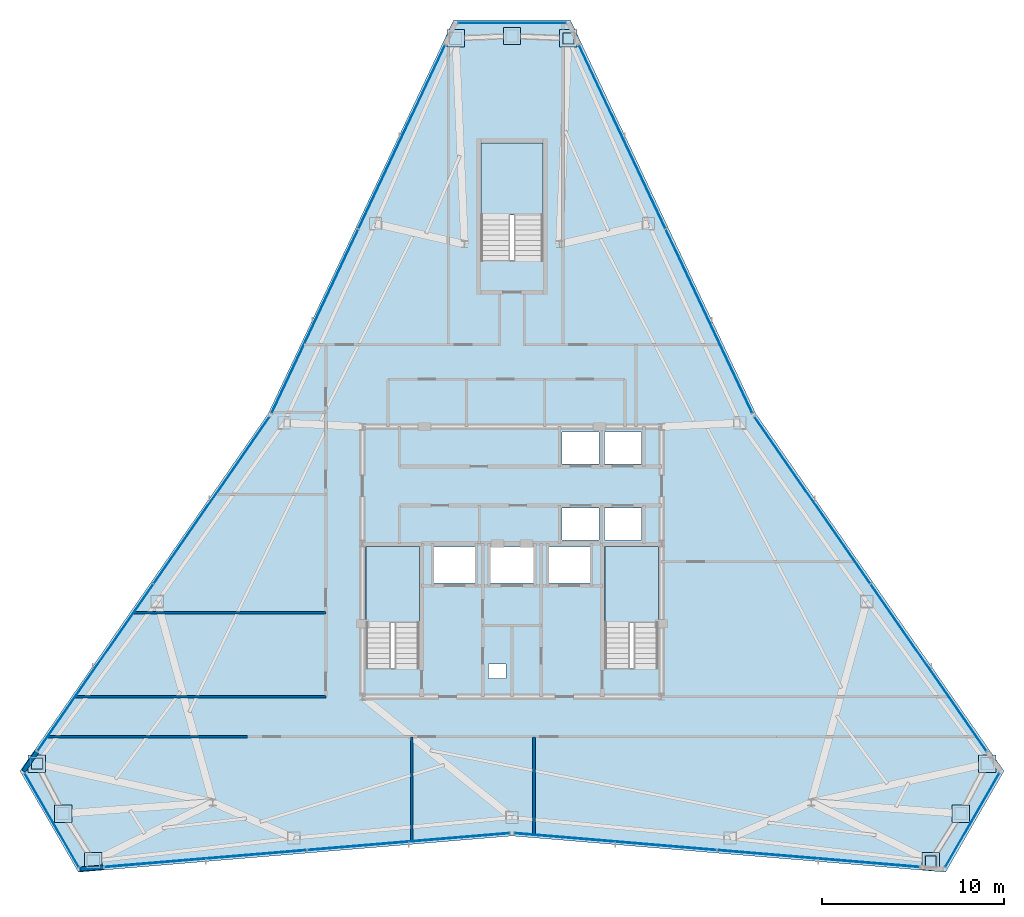
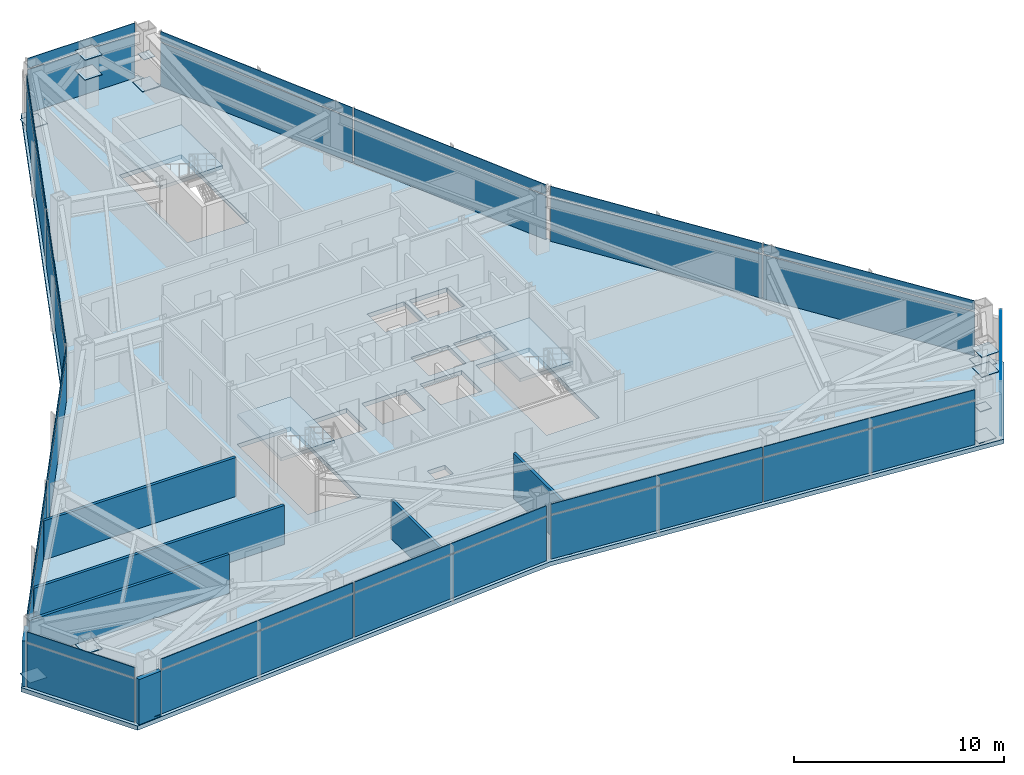
# One storey, part 8 of 12: 45 plates, 7 walls, 4 slabs, 12 elements without a shape of their own.
"""IFC4 building model written with IfcOpenShell, lengths in metres."""

import ifcopenshell
import ifcopenshell.guid

model = None  # the IFC model being written
_history = None  # IfcOwnerHistory: only IFC2X3 demands one
_inside = {}  # id of a spatial element -> (the spatial element, [elements in it])
_under = {}  # id of a project, library or spatial element -> (it, [spatial elements below it])
_declared = {}  # id of a project -> (the project, [libraries it declares])
_typed = {}  # id of a type object -> (the type object, [elements of that type])
_made_of = {}  # id of a material, layer set ... -> (it, [elements and type objects made of it])


def new_model(schema):
    """Start an empty IFC model of exactly this schema.

    Asked for "IFC4X3", IfcOpenShell would pick the latest addendum, in which some entities
    have other attributes; the version numbers below select the first issue.
    IFC2X3 requires an IfcOwnerHistory on every rooted entity: one is made here for all.
    """
    global model, _history
    if schema == "IFC4X3":
        model = ifcopenshell.file(schema_version=(4, 3, 0, 0))
    else:
        model = ifcopenshell.file(schema=schema)
    _inside.clear()
    _under.clear()
    _declared.clear()
    _typed.clear()
    _made_of.clear()
    _history = None
    if model.schema == "IFC2X3":
        org = make("IfcOrganization", Name="unknown")
        user = make(
            "IfcPersonAndOrganization",
            ThePerson=make("IfcPerson", FamilyName="unknown"),
            TheOrganization=org,
        )
        app = make(
            "IfcApplication",
            ApplicationDeveloper=org,
            Version="unknown",
            ApplicationFullName="unknown",
            ApplicationIdentifier="unknown",
        )
        _history = make(
            "IfcOwnerHistory",
            OwningUser=user,
            OwningApplication=app,
            ChangeAction="ADDED",
            CreationDate=0,
        )
    return model


def make(cls, **values):
    """One entity of the class cls with the attributes given. An attribute that is None is left unset."""
    return model.create_entity(
        cls, **{name: value for name, value in values.items() if value is not None}
    )


def rooted(cls, **values):
    """An entity with a GlobalId (a new one), such as an element, a storey or a relation."""
    return make(cls, GlobalId=ifcopenshell.guid.new(), OwnerHistory=_history, **values)


def si_unit(unit_type, name, prefix=None):
    """IfcSIUnit, for example si_unit("LENGTHUNIT", "METRE", prefix="MILLI")."""
    return make("IfcSIUnit", UnitType=unit_type, Prefix=prefix, Name=name)


def assignment(units):
    """IfcUnitAssignment: the units of a project."""
    return None if units is None else make("IfcUnitAssignment", Units=units)


def point(xyz):
    """IfcCartesianPoint."""
    return None if xyz is None else make("IfcCartesianPoint", Coordinates=xyz)


def direction(xyz):
    """IfcDirection."""
    return None if xyz is None else make("IfcDirection", DirectionRatios=xyz)


def frame(location, z_axis=None, x_axis=None):
    """IfcAxis2Placement3D, a coordinate frame: its origin and axes. An axis left out is left unset."""
    return make(
        "IfcAxis2Placement3D",
        Location=point(location),
        Axis=direction(z_axis),
        RefDirection=direction(x_axis),
    )


def frame_2d(location, x_axis=None):
    """IfcAxis2Placement2D, a coordinate frame in the plane: its origin and x axis."""
    return make(
        "IfcAxis2Placement2D", Location=point(location), RefDirection=direction(x_axis)
    )


def origin():
    """The frame at (0, 0, 0) with its axes left unset."""
    return frame((0.0, 0.0, 0.0))


def origin_2d():
    """The frame at (0, 0) in the plane with its x axis left unset."""
    return frame_2d((0.0, 0.0))


def place(relative_to, where):
    """IfcLocalPlacement: puts the frame where relative to a parent placement (None: the world)."""
    return make(
        "IfcLocalPlacement", PlacementRelTo=relative_to, RelativePlacement=where
    )


def context(
    kind, dimensions, precision=None, world=None, true_north=None, identifier=None
):
    """IfcGeometricRepresentationContext, for example the 3D "Model" context."""
    return make(
        "IfcGeometricRepresentationContext",
        ContextIdentifier=identifier,
        ContextType=kind,
        CoordinateSpaceDimension=dimensions,
        Precision=precision,
        WorldCoordinateSystem=world,
        TrueNorth=true_north,
    )


def subcontext(parent, identifier, kind, view, scale=None):
    """IfcGeometricRepresentationSubContext, for example "Body" below "Model"."""
    return make(
        "IfcGeometricRepresentationSubContext",
        ContextIdentifier=identifier,
        ContextType=kind,
        ParentContext=parent,
        TargetScale=scale,
        TargetView=view,
    )


def project(units=None, contexts=None):
    """IfcProject with its units and contexts."""
    return rooted(
        "IfcProject",
        Name="project",
        RepresentationContexts=contexts,
        UnitsInContext=assignment(units),
    )


def spatial(cls, under=None, at=None, **own):
    """A site, building, storey or space (cls), placed at a placement, below another one or the project."""
    s = rooted(cls, ObjectPlacement=at, **own)
    if under is not None:
        _under.setdefault(under.id(), (under, []))[1].append(s)
    return s


def polyline(points):
    """IfcPolyline through the points."""
    return make("IfcPolyline", Points=[point(p) for p in points])


def profile(cls, at=None, kind="AREA", **sizes):
    """A parametric profile (cls). Its sizes go by their IFC names, for example OverallWidth=200.0."""
    return make(cls, ProfileType=kind, Position=at, **sizes)


def rectangle(**sizes):
    """IfcRectangleProfileDef."""
    return profile("IfcRectangleProfileDef", **sizes)


def outline(outer, holes=None, kind="AREA"):
    """IfcArbitraryClosedProfileDef: a profile drawn as a closed curve; with holes, ...WithVoids."""
    if holes is None:
        return make("IfcArbitraryClosedProfileDef", ProfileType=kind, OuterCurve=outer)
    return make(
        "IfcArbitraryProfileDefWithVoids",
        ProfileType=kind,
        OuterCurve=outer,
        InnerCurves=holes,
    )


def extrude(swept, where, along, depth):
    """IfcExtrudedAreaSolid: the profile swept, set in the frame where, extruded along a direction by depth."""
    return make(
        "IfcExtrudedAreaSolid",
        SweptArea=swept,
        Position=where,
        ExtrudedDirection=direction(along),
        Depth=depth,
    )


def shape(context_of_items, identifier, shape_type, items):
    """IfcShapeRepresentation: the items that make up one representation, for example the "Body"."""
    return make(
        "IfcShapeRepresentation",
        ContextOfItems=context_of_items,
        RepresentationIdentifier=identifier,
        RepresentationType=shape_type,
        Items=items,
    )


def source(mapping_origin, context_of_items, identifier, shape_type, items):
    """IfcRepresentationMap: a shape defined once, which mapped items show again and again."""
    return make(
        "IfcRepresentationMap",
        MappingOrigin=mapping_origin,
        MappedRepresentation=shape(context_of_items, identifier, shape_type, items),
    )


def transform(
    local_origin,
    x_axis=None,
    y_axis=None,
    z_axis=None,
    scale=None,
    scale2=None,
    scale3=None,
    uniform=True,
):
    """IfcCartesianTransformationOperator3D, or its non-uniform kind. x_axis, y_axis, z_axis: its Axis1, 2, 3."""
    if uniform:
        return make(
            "IfcCartesianTransformationOperator3D",
            Axis1=direction(x_axis),
            Axis2=direction(y_axis),
            LocalOrigin=point(local_origin),
            Scale=scale,
            Axis3=direction(z_axis),
        )
    return make(
        "IfcCartesianTransformationOperator3DnonUniform",
        Axis1=direction(x_axis),
        Axis2=direction(y_axis),
        LocalOrigin=point(local_origin),
        Scale=scale,
        Axis3=direction(z_axis),
        Scale2=scale2,
        Scale3=scale3,
    )


def mapped(mapping_source, mapping_target):
    """IfcMappedItem: shows the shape of a source again, moved by a transform."""
    return make(
        "IfcMappedItem", MappingSource=mapping_source, MappingTarget=mapping_target
    )


def material(Name=None, Category=None):
    """IfcMaterial."""
    return make("IfcMaterial", Name=Name, Category=Category)


def layer(
    of_material, thickness, ventilated=None, Name=None, Category=None, Priority=None
):
    """IfcMaterialLayer: one layer of a wall or slab, of a material (None: an air gap)."""
    return make(
        "IfcMaterialLayer",
        Material=of_material,
        LayerThickness=thickness,
        IsVentilated=ventilated,
        Name=Name,
        Category=Category,
        Priority=Priority,
    )


def layer_set(layers, Name=None):
    """IfcMaterialLayerSet."""
    return make("IfcMaterialLayerSet", MaterialLayers=layers, LayerSetName=Name)


def made_of(thing, what):
    """Note that an element or type object is made of a material, layer set ...; save() writes the relation."""
    if what is not None:
        _made_of.setdefault(what.id(), (what, []))[1].append(thing)
    return thing


def type_object(cls, material=None, **own):
    """A type object (cls), such as IfcWallType, which elements share."""
    return made_of(rooted(cls, **own), material)


def type_shapes(of_type, sources):
    """Give a type object the sources (RepresentationMaps) that its elements show as mapped items."""
    of_type.RepresentationMaps = sources


def element(
    cls,
    number,
    at=None,
    inside=None,
    cuts=None,
    type_object=None,
    material=None,
    context=None,
    identifier="Body",
    shape_type=None,
    held_by="IfcProductDefinitionShape",
    body=None,
    shapes=None,
    **own,
):
    """One element of the class cls, such as IfcWall. Its Tag is "e" and its number.

    at: its placement. inside: the storey or other place that contains it. cuts: it is an
    opening in that element (IfcRelVoidsElement). A single representation is given by context,
    identifier, shape_type and body (its items); several are given by shapes. held_by: the class
    of the entity that holds the representations. save() writes the other relations.
    """
    e = rooted(cls, Tag="e%d" % number, ObjectPlacement=at, **own)
    if body is not None:
        shapes = [shape(context, identifier, shape_type, body)]
    if shapes is not None:
        e.Representation = make(held_by, Representations=shapes)
    if inside is not None:
        _inside.setdefault(inside.id(), (inside, []))[1].append(e)
    if cuts is not None:
        rooted(
            "IfcRelVoidsElement", RelatingBuildingElement=cuts, RelatedOpeningElement=e
        )
    if type_object is not None:
        _typed.setdefault(type_object.id(), (type_object, []))[1].append(e)
    return made_of(e, material)


def aggregate(whole, parts):
    """IfcRelAggregates: a whole, such as a stair, and the parts it consists of."""
    return rooted("IfcRelAggregates", RelatingObject=whole, RelatedObjects=parts)


def save(model, path):
    """Write the relations noted so far, then the file.

    IfcRelAggregates (storeys below a building ...), IfcRelContainedInSpatialStructure (elements
    in a storey), IfcRelDefinesByType, IfcRelAssociatesMaterial and IfcRelDeclares: one each for
    every whole, place, type object, material and project.
    """
    for whole, parts in _under.values():
        aggregate(whole, parts)
    for where, things in _inside.values():
        rooted(
            "IfcRelContainedInSpatialStructure",
            RelatedElements=things,
            RelatingStructure=where,
        )
    for kind, things in _typed.values():
        rooted("IfcRelDefinesByType", RelatedObjects=things, RelatingType=kind)
    for what, things in _made_of.values():
        rooted("IfcRelAssociatesMaterial", RelatedObjects=things, RelatingMaterial=what)
    for by, libraries in _declared.values():
        rooted("IfcRelDeclares", RelatingContext=by, RelatedDefinitions=libraries)
    model.write(path)


model = new_model("IFC4")

# Units and contexts
model_context = context("Model", 3, precision=1e-05, world=origin(), true_north=direction((0.0, 1.0)))
body_context = subcontext(model_context, "Body", "Model", "MODEL_VIEW")
ifc_project = project(units=[si_unit("LENGTHUNIT", "METRE"), si_unit("AREAUNIT", "SQUARE_METRE"), si_unit("VOLUMEUNIT", "CUBIC_METRE"), si_unit("PLANEANGLEUNIT", "RADIAN"), si_unit("MASSUNIT", "GRAM", prefix="KILO")], contexts=[model_context])

# Site, building, storey
site_placement = place(None, origin())
site = spatial("IfcSite", under=ifc_project, at=site_placement, CompositionType="ELEMENT")
building_placement = place(site_placement, origin())
building = spatial("IfcBuilding", under=site, at=building_placement, Name="Varakhsha Concourse Tower", CompositionType="ELEMENT")
storey_placement = place(building_placement, frame((0.0, 0.0, 232.89990234375)))
storey = spatial("IfcBuildingStorey", under=building, at=storey_placement, Name="L66", CompositionType="ELEMENT", Elevation=232.89990234375)

# Slab
ifc_material_1 = material(Name="Concrete fc 45 MPa", Category="concrete")
ifc_layer_1 = layer(ifc_material_1, 0.25, Name="SL-FLR-250")
ifc_layer_set_1 = layer_set([ifc_layer_1], Name="Concrete fc 45 MPa")
slab_type_1 = type_object("IfcSlabType", Name="SL-FLR-250", PredefinedType="FLOOR", material=ifc_layer_set_1)
slab_1_placement = place(storey_placement, frame((0.0, 0.0, -0.25)))
element("IfcSlab", 1, at=slab_1_placement, inside=storey, type_object=slab_type_1, Name="L66 Composite Structural Slab", PredefinedType="FLOOR", context=body_context, shape_type="SweptSolid", body=[
    extrude(outline(polyline([(43.199951171875, 53.497314453125), (36.800048828125, 53.497314453125), (26.6337890625, 31.9169921875), (13.027587890625, 12.322509765625), (16.227783203125, 6.780029296875), (40.0, 8.765869140625), (63.772216796875, 6.780029296875), (66.972412109375, 12.322509765625), (53.3662109375, 31.9169921875), (43.199951171875, 53.497314453125)]), holes=[polyline([(34.919921875, 17.93994140625), (34.919921875, 24.6298828125), (32.0, 24.6298828125), (32.0, 17.93994140625), (34.919921875, 17.93994140625)]), polyline([(48.02001953125, 17.93994140625), (48.02001953125, 24.6298828125), (45.10009765625, 24.6298828125), (45.10009765625, 17.93994140625), (48.02001953125, 17.93994140625)]), polyline([(41.699951171875, 40.300048828125), (41.699951171875, 46.75), (38.300048828125, 46.75), (38.300048828125, 40.300048828125), (41.699951171875, 40.300048828125)]), polyline([(42.739990234375, 29.159912109375), (44.780029296875, 29.159912109375), (44.780029296875, 30.89990234375), (42.739990234375, 30.89990234375), (42.739990234375, 29.159912109375)]), polyline([(45.06005859375, 29.159912109375), (47.10009765625, 29.159912109375), (47.10009765625, 30.89990234375), (45.06005859375, 30.89990234375), (45.06005859375, 29.159912109375)]), polyline([(42.739990234375, 25.0), (44.780029296875, 25.0), (44.780029296875, 26.739990234375), (42.739990234375, 26.739990234375), (42.739990234375, 25.0)]), polyline([(45.06005859375, 25.0), (47.10009765625, 25.0), (47.10009765625, 26.739990234375), (45.06005859375, 26.739990234375), (45.06005859375, 25.0)]), polyline([(35.7099609375, 22.639892578125), (37.989990234375, 22.639892578125), (37.989990234375, 24.60009765625), (35.7099609375, 24.60009765625), (35.7099609375, 22.639892578125)]), polyline([(42.010009765625, 22.639892578125), (44.2900390625, 22.639892578125), (44.2900390625, 24.60009765625), (42.010009765625, 24.60009765625), (42.010009765625, 22.639892578125)]), polyline([(38.81005859375, 22.639892578125), (41.18994140625, 22.639892578125), (41.18994140625, 24.60009765625), (38.81005859375, 24.60009765625), (38.81005859375, 22.639892578125)]), polyline([(38.719970703125, 17.39990234375), (39.679931640625, 17.39990234375), (39.679931640625, 18.199951171875), (38.719970703125, 18.199951171875), (38.719970703125, 17.39990234375)])]), origin(), (0.0, 0.0, 1.0), 0.25),
])

# Stair, slab
stair_type_1 = type_object("IfcStairType", Name="ST-DOGLEG-1360", PredefinedType="HALF_TURN_STAIR", material=ifc_material_1)
stair_1_placement = place(storey_placement, origin())
stair_1 = element("IfcStair", 2, at=stair_1_placement, inside=storey, type_object=stair_type_1, Name="L66 Protected Exit Stair ST1", PredefinedType="HALF_TURN_STAIR")
ifc_layer_2 = layer(ifc_material_1, 0.199951171875, Name="SL-LAND-200")
ifc_layer_set_2 = layer_set([ifc_layer_2], Name="Concrete fc 45 MPa")
slab_type_2 = type_object("IfcSlabType", Name="SL-LAND-200", PredefinedType="LANDING", material=ifc_layer_set_2)
slab_2_placement = place(storey_placement, frame((0.0, 0.0, 1.550048828125)))
slab_2 = element("IfcSlab", 3, at=slab_2_placement, type_object=slab_type_2, Name="ST1 landing 1", PredefinedType="LANDING", context=body_context, shape_type="SweptSolid", body=[
    extrude(outline(polyline([(34.919921875, 20.4599609375), (34.919921875, 24.6298828125), (32.0, 24.6298828125), (32.0, 20.4599609375), (34.919921875, 20.4599609375)])), origin(), (0.0, 0.0, 1.0), 0.199951171875),
])
aggregate(stair_1, [slab_2])

stair_2_placement = place(storey_placement, origin())
stair_2 = element("IfcStair", 4, at=stair_2_placement, inside=storey, type_object=stair_type_1, Name="L66 Protected Exit Stair ST2", PredefinedType="HALF_TURN_STAIR")
slab_3_placement = place(storey_placement, frame((0.0, 0.0, 1.550048828125)))
slab_3 = element("IfcSlab", 5, at=slab_3_placement, type_object=slab_type_2, Name="ST2 landing 1", PredefinedType="LANDING", context=body_context, shape_type="SweptSolid", body=[
    extrude(outline(polyline([(48.02001953125, 20.4599609375), (48.02001953125, 24.6298828125), (45.10009765625, 24.6298828125), (45.10009765625, 20.4599609375), (48.02001953125, 20.4599609375)])), origin(), (0.0, 0.0, 1.0), 0.199951171875),
])
aggregate(stair_2, [slab_3])

stair_type_2 = type_object("IfcStairType", Name="ST-DOGLEG-1600", PredefinedType="HALF_TURN_STAIR", material=ifc_material_1)
stair_3_placement = place(storey_placement, origin())
stair_3 = element("IfcStair", 6, at=stair_3_placement, inside=storey, type_object=stair_type_2, Name="L66 Protected Exit Stair ST5", PredefinedType="HALF_TURN_STAIR")
slab_4_placement = place(storey_placement, frame((0.0, 0.0, 1.550048828125)))
slab_4 = element("IfcSlab", 7, at=slab_4_placement, type_object=slab_type_2, Name="ST5 landing 1", PredefinedType="LANDING", context=body_context, shape_type="SweptSolid", body=[
    extrude(outline(polyline([(41.699951171875, 42.820068359375), (41.699951171875, 46.75), (38.300048828125, 46.75), (38.300048828125, 42.820068359375), (41.699951171875, 42.820068359375)])), origin(), (0.0, 0.0, 1.0), 0.199951171875),
])
aggregate(stair_3, [slab_4])

# Plates
ifc_material_2 = material(Name="Structural Steel ASTM A572 Grade 50", Category="steel")
ifc_layer_3 = layer(ifc_material_2, 0.030029296875, Name="PL-ENDCAP-950")
ifc_layer_set_3 = layer_set([ifc_layer_3], Name="Structural Steel ASTM A572 Grade 50")
plate_type_1 = type_object("IfcPlateType", Name="PL-ENDCAP-950", PredefinedType="USERDEFINED", material=ifc_layer_set_3)
shared_shape_1 = source(origin(), body_context, "Body", "SweptSolid", [
    extrude(rectangle(XDim=0.949951171875, YDim=0.949951171875, at=origin_2d()), origin(), (0.0, 0.0, 1.0), 0.030029296875),
])
type_shapes(plate_type_1, [shared_shape_1])
for number, where, z_axis, x_axis, name in (
    (8, (43.090087890625, 52.491455078125, 0.10498046875), (0.0, 0.0, 1.0), (1.0, 0.0, 0.0), "Hollow Section End Cap GP-NODE-L66-0673"),
    (9, (40.0, 52.617431640625, 2.93505859375), (0.0, 0.0, 1.0), (1.0, 0.0, 0.0), "Hollow Section End Cap GP-NODE-L66-0674"),
    (10, (36.909912109375, 52.491455078125, 0.10498046875), (0.0, 0.0, 1.0), (1.0, 0.0, 0.0), "Hollow Section End Cap GP-NODE-L66-0675"),
    (11, (13.953857421875, 12.73046875, 0.10498046875), (0.0, 0.0, 1.0), (1.0, 0.0, 0.0), "Hollow Section End Cap GP-NODE-L66-0676"),
    (12, (15.389892578125, 9.9912109375, 2.93505859375), (0.0, 0.0, 1.0), (1.0, 0.0, 0.0), "Hollow Section End Cap GP-NODE-L66-0677"),
    (13, (17.0439453125, 7.378173828125, 0.10498046875), (0.0, 0.0, 1.0), (1.0, 0.0, 0.0), "Hollow Section End Cap GP-NODE-L66-0678"),
    (14, (62.9560546875, 7.378173828125, 0.10498046875), (0.0, 0.0, 1.0), (1.0, 0.0, 0.0), "Hollow Section End Cap GP-NODE-L66-0679"),
    (15, (64.610107421875, 9.9912109375, 2.93505859375), (0.0, 0.0, 1.0), (1.0, 0.0, 0.0), "Hollow Section End Cap GP-NODE-L66-0680"),
    (16, (66.046142578125, 12.73046875, 0.10498046875), (0.0, 0.0, 1.0), (1.0, 0.0, 0.0), "Hollow Section End Cap GP-NODE-L66-0681"),
    (17, (40.0, 52.617431640625, 1.78515625), (0.0, 0.0, 1.0), (1.0, 0.0, 0.0), "Hollow Section End Cap GP-NODE-L66-0682"),
    (18, (15.389892578125, 9.9912109375, 1.78515625), (0.0, 0.0, 1.0), (1.0, 0.0, 0.0), "Hollow Section End Cap GP-NODE-L66-0683"),
    (19, (64.610107421875, 9.9912109375, 1.78515625), (0.0, 0.0, 1.0), (1.0, 0.0, 0.0), "Hollow Section End Cap GP-NODE-L66-0684"),
):
    element("IfcPlate", number, at=place(storey_placement, frame(where, z_axis=z_axis, x_axis=x_axis)), inside=storey, type_object=plate_type_1, Name=name, ObjectType="END PLATE", PredefinedType="USERDEFINED", context=body_context, shape_type="MappedRepresentation", body=[
        mapped(shared_shape_1, transform((0.0, 0.0, 0.0), scale=1.0)),
    ])
ifc_layer_4 = layer(ifc_material_2, 0.030029296875, Name="PL-BASE-600")
ifc_layer_set_4 = layer_set([ifc_layer_4], Name="Structural Steel ASTM A572 Grade 50")
plate_type_2 = type_object("IfcPlateType", Name="PL-BASE-600", PredefinedType="SHEET", material=ifc_layer_set_4)
shared_shape_2 = source(origin(), body_context, "Body", "SweptSolid", [
    extrude(rectangle(XDim=0.60009765625, YDim=0.60009765625, at=origin_2d()), origin(), (0.0, 0.0, 1.0), 0.030029296875),
])
type_shapes(plate_type_2, [shared_shape_2])
for number, where, z_axis, x_axis, name in (
    (20, (43.090087890625, 52.491455078125, 1.78515625), (0.0, 0.0, 1.0), (1.0, 0.0, 0.0), "Hollow Section End Cap BP-WTIE-L66-1"),
    (21, (13.953857421875, 12.73046875, 1.78515625), (0.0, 0.0, 1.0), (1.0, 0.0, 0.0), "Hollow Section End Cap BP-WTIE-L66-2"),
    (22, (62.9560546875, 7.378173828125, 1.78515625), (0.0, 0.0, 1.0), (1.0, 0.0, 0.0), "Hollow Section End Cap BP-WTIE-L66-3"),
):
    element("IfcPlate", number, at=place(storey_placement, frame(where, z_axis=z_axis, x_axis=x_axis)), inside=storey, type_object=plate_type_2, Name=name, PredefinedType="SHEET", context=body_context, shape_type="MappedRepresentation", body=[
        mapped(shared_shape_2, transform((0.0, 0.0, 0.0), scale=1.0)),
    ])

# Curtain wall, plates
ifc_material_3 = material(Name="Anodised Bronze Architectural Aluminium AA 6063-T6", Category="aluminium")
ifc_layer_5 = layer(ifc_material_3, 0.199951171875, Name="CW-SYS-05")
ifc_layer_set_5 = layer_set([ifc_layer_5], Name="Anodised Bronze Architectural Aluminium AA 6063-T6")
curtain_wall_type = type_object("IfcCurtainWallType", Name="CW-SYS-05", PredefinedType="NOTDEFINED", material=ifc_layer_set_5)
curtain_wall_1_placement = place(storey_placement, origin())
curtain_wall_1 = element("IfcCurtainWall", 23, at=curtain_wall_1_placement, inside=storey, type_object=curtain_wall_type, Name="L66 Crystal Curtain Wall F2", PredefinedType="NOTDEFINED")
ifc_material_4 = material(Name="Low-E Triple Insulating Glass IGU 44 mm", Category="glass")
ifc_layer_6 = layer(ifc_material_4, 0.0439453125, Name="CWP-IGU-44")
ifc_layer_set_6 = layer_set([ifc_layer_6], Name="Low-E Triple Insulating Glass IGU 44 mm")
plate_type_3 = type_object("IfcPlateType", Name="CWP-IGU-44", PredefinedType="CURTAIN_PANEL", material=ifc_layer_set_6)
shared_shape_3 = source(origin(), body_context, "Body", "SweptSolid", [
    extrude(rectangle(XDim=11.1083984375, YDim=0.0439453125, at=origin_2d()), origin(), (0.0, 0.0, 1.0), 2.535888671875),
])
plate_1_placement = place(storey_placement, frame((29.1943359375, 36.97705078125, 0.0322265625), z_axis=(0.0, 0.0, 1.0), x_axis=(0.426172477405, 0.904641928888, 0.0)))
plate_1 = element("IfcPlate", 24, at=plate_1_placement, type_object=plate_type_3, Name="CW-L66-F2 Panel 00-00", PredefinedType="CURTAIN_PANEL", context=body_context, shape_type="MappedRepresentation", body=[
    mapped(shared_shape_3, transform((0.0, 0.0, 0.0), scale=1.0)),
])
plate_2_placement = place(storey_placement, frame((33.957763671875, 47.0888671875, 0.0322265625), z_axis=(0.0, 0.0, 1.0), x_axis=(0.426172477405, 0.904641928888, 0.0)))
plate_2 = element("IfcPlate", 25, at=plate_2_placement, type_object=plate_type_3, Name="CW-L66-F2 Panel 01-00", PredefinedType="CURTAIN_PANEL", context=body_context, shape_type="MappedRepresentation", body=[
    mapped(shared_shape_3, transform((0.0, 0.0, 0.0), scale=1.0)),
])

curtain_wall_2_placement = place(storey_placement, origin())
curtain_wall_2 = element("IfcCurtainWall", 26, at=curtain_wall_2_placement, inside=storey, type_object=curtain_wall_type, Name="L66 Crystal Curtain Wall F9", PredefinedType="NOTDEFINED")
plate_3_placement = place(storey_placement, frame((46.042236328125, 47.0888671875, 0.0322265625), z_axis=(0.0, 0.0, 1.0), x_axis=(0.426172477405, -0.904641928888, 0.0)))
plate_3 = element("IfcPlate", 27, at=plate_3_placement, type_object=plate_type_3, Name="CW-L66-F9 Panel 00-00", PredefinedType="CURTAIN_PANEL", context=body_context, shape_type="MappedRepresentation", body=[
    mapped(shared_shape_3, transform((0.0, 0.0, 0.0), scale=1.0)),
])
plate_4_placement = place(storey_placement, frame((50.8056640625, 36.97705078125, 0.0322265625), z_axis=(0.0, 0.0, 1.0), x_axis=(0.426172477405, -0.904641928888, 0.0)))
plate_4 = element("IfcPlate", 28, at=plate_4_placement, type_object=plate_type_3, Name="CW-L66-F9 Panel 01-00", PredefinedType="CURTAIN_PANEL", context=body_context, shape_type="MappedRepresentation", body=[
    mapped(shared_shape_3, transform((0.0, 0.0, 0.0), scale=1.0)),
])

# Plate
ifc_material_5 = material(Name="Insulated Anodised Bronze Aluminium Spandrel 36 mm", Category="aluminium")
ifc_layer_7 = layer(ifc_material_5, 0.035888671875, Name="CWP-SPN-36")
ifc_layer_set_7 = layer_set([ifc_layer_7], Name="Insulated Anodised Bronze Aluminium Spandrel 36 mm")
plate_type_4 = type_object("IfcPlateType", Name="CWP-SPN-36", PredefinedType="USERDEFINED", material=ifc_layer_set_7)
shared_shape_4 = source(origin(), body_context, "Body", "SweptSolid", [
    extrude(rectangle(XDim=11.1083984375, YDim=0.035888671875, at=origin_2d()), origin(), (0.0, 0.0, 1.0), 0.5859375),
])
plate_5_placement = place(storey_placement, frame((29.1943359375, 36.97705078125, 2.632080078125), z_axis=(0.0, 0.0, 1.0), x_axis=(0.426172477405, 0.904641928888, 0.0)))
plate_5 = element("IfcPlate", 29, at=plate_5_placement, type_object=plate_type_4, Name="CW-L66-F2 Panel 00-01", ObjectType="SPANDREL", PredefinedType="USERDEFINED", context=body_context, shape_type="MappedRepresentation", body=[
    mapped(shared_shape_4, transform((0.0, 0.0, 0.0), scale=1.0)),
])

plate_6_placement = place(storey_placement, frame((33.957763671875, 47.0888671875, 2.632080078125), z_axis=(0.0, 0.0, 1.0), x_axis=(0.426172477405, 0.904641928888, 0.0)))
plate_6 = element("IfcPlate", 30, at=plate_6_placement, type_object=plate_type_4, Name="CW-L66-F2 Panel 01-01", ObjectType="SPANDREL", PredefinedType="USERDEFINED", context=body_context, shape_type="MappedRepresentation", body=[
    mapped(shared_shape_4, transform((0.0, 0.0, 0.0), scale=1.0)),
])

aggregate(curtain_wall_1, [plate_1, plate_5, plate_2, plate_6])

plate_7_placement = place(storey_placement, frame((46.042236328125, 47.0888671875, 2.632080078125), z_axis=(0.0, 0.0, 1.0), x_axis=(0.426172477405, -0.904641928888, 0.0)))
plate_7 = element("IfcPlate", 31, at=plate_7_placement, type_object=plate_type_4, Name="CW-L66-F9 Panel 00-01", ObjectType="SPANDREL", PredefinedType="USERDEFINED", context=body_context, shape_type="MappedRepresentation", body=[
    mapped(shared_shape_4, transform((0.0, 0.0, 0.0), scale=1.0)),
])

plate_8_placement = place(storey_placement, frame((50.8056640625, 36.97705078125, 2.632080078125), z_axis=(0.0, 0.0, 1.0), x_axis=(0.426172477405, -0.904641928888, 0.0)))
plate_8 = element("IfcPlate", 32, at=plate_8_placement, type_object=plate_type_4, Name="CW-L66-F9 Panel 01-01", ObjectType="SPANDREL", PredefinedType="USERDEFINED", context=body_context, shape_type="MappedRepresentation", body=[
    mapped(shared_shape_4, transform((0.0, 0.0, 0.0), scale=1.0)),
])

aggregate(curtain_wall_2, [plate_3, plate_7, plate_4, plate_8])

# Curtain wall, plates
curtain_wall_3_placement = place(storey_placement, origin())
curtain_wall_3 = element("IfcCurtainWall", 33, at=curtain_wall_3_placement, inside=storey, type_object=curtain_wall_type, Name="L66 Crystal Curtain Wall F3", PredefinedType="NOTDEFINED")
shared_shape_5 = source(origin(), body_context, "Body", "SweptSolid", [
    extrude(rectangle(XDim=11.108642578125, YDim=0.0439453125, at=origin_2d()), origin(), (0.0, 0.0, 1.0), 2.535888671875),
])
type_shapes(plate_type_3, [shared_shape_3, shared_shape_5])
plate_9_placement = place(storey_placement, frame((17.156494140625, 17.98828125, 0.0322265625), z_axis=(0.0, 0.0, 1.0), x_axis=(0.570360953861, 0.821394169879, 0.0)))
plate_9 = element("IfcPlate", 34, at=plate_9_placement, type_object=plate_type_3, Name="CW-L66-F3 Panel 00-00", PredefinedType="CURTAIN_PANEL", context=body_context, shape_type="MappedRepresentation", body=[
    mapped(shared_shape_5, transform((0.0, 0.0, 0.0), scale=1.0)),
])
plate_10_placement = place(storey_placement, frame((23.531982421875, 27.16943359375, 0.0322265625), z_axis=(0.0, 0.0, 1.0), x_axis=(0.570360953861, 0.821394169879, 0.0)))
plate_10 = element("IfcPlate", 35, at=plate_10_placement, type_object=plate_type_3, Name="CW-L66-F3 Panel 01-00", PredefinedType="CURTAIN_PANEL", context=body_context, shape_type="MappedRepresentation", body=[
    mapped(shared_shape_5, transform((0.0, 0.0, 0.0), scale=1.0)),
])

curtain_wall_4_placement = place(storey_placement, origin())
curtain_wall_4 = element("IfcCurtainWall", 36, at=curtain_wall_4_placement, inside=storey, type_object=curtain_wall_type, Name="L66 Crystal Curtain Wall F5", PredefinedType="NOTDEFINED")
plate_11_placement = place(storey_placement, frame((34.337646484375, 8.453369140625, 0.0322265625), z_axis=(0.0, 0.0, 1.0), x_axis=(-0.996528985157, -0.083246511889, 0.0)))
plate_11 = element("IfcPlate", 37, at=plate_11_placement, type_object=plate_type_3, Name="CW-L66-F5 Panel 00-00", PredefinedType="CURTAIN_PANEL", context=body_context, shape_type="MappedRepresentation", body=[
    mapped(shared_shape_5, transform((0.0, 0.0, 0.0), scale=1.0)),
])
plate_12_placement = place(storey_placement, frame((23.19873046875, 7.52294921875, 0.0322265625), z_axis=(0.0, 0.0, 1.0), x_axis=(-0.996528985157, -0.083246511889, 0.0)))
plate_12 = element("IfcPlate", 38, at=plate_12_placement, type_object=plate_type_3, Name="CW-L66-F5 Panel 01-00", PredefinedType="CURTAIN_PANEL", context=body_context, shape_type="MappedRepresentation", body=[
    mapped(shared_shape_5, transform((0.0, 0.0, 0.0), scale=1.0)),
])

curtain_wall_5_placement = place(storey_placement, origin())
curtain_wall_5 = element("IfcCurtainWall", 39, at=curtain_wall_5_placement, inside=storey, type_object=curtain_wall_type, Name="L66 Crystal Curtain Wall F6", PredefinedType="NOTDEFINED")
plate_13_placement = place(storey_placement, frame((56.80126953125, 7.52294921875, 0.0322265625), z_axis=(0.0, 0.0, 1.0), x_axis=(-0.996528985157, 0.083246511889, 0.0)))
plate_13 = element("IfcPlate", 40, at=plate_13_placement, type_object=plate_type_3, Name="CW-L66-F6 Panel 00-00", PredefinedType="CURTAIN_PANEL", context=body_context, shape_type="MappedRepresentation", body=[
    mapped(shared_shape_5, transform((0.0, 0.0, 0.0), scale=1.0)),
])
plate_14_placement = place(storey_placement, frame((45.662353515625, 8.45361328125, 0.0322265625), z_axis=(0.0, 0.0, 1.0), x_axis=(-0.996528985157, 0.083246511889, 0.0)))
plate_14 = element("IfcPlate", 41, at=plate_14_placement, type_object=plate_type_3, Name="CW-L66-F6 Panel 01-00", PredefinedType="CURTAIN_PANEL", context=body_context, shape_type="MappedRepresentation", body=[
    mapped(shared_shape_5, transform((0.0, 0.0, 0.0), scale=1.0)),
])

curtain_wall_6_placement = place(storey_placement, origin())
curtain_wall_6 = element("IfcCurtainWall", 42, at=curtain_wall_6_placement, inside=storey, type_object=curtain_wall_type, Name="L66 Crystal Curtain Wall F8", PredefinedType="NOTDEFINED")
plate_15_placement = place(storey_placement, frame((56.468017578125, 27.16943359375, 0.0322265625), z_axis=(0.0, 0.0, 1.0), x_axis=(0.570360953861, -0.821394169879, 0.0)))
plate_15 = element("IfcPlate", 43, at=plate_15_placement, type_object=plate_type_3, Name="CW-L66-F8 Panel 00-00", PredefinedType="CURTAIN_PANEL", context=body_context, shape_type="MappedRepresentation", body=[
    mapped(shared_shape_5, transform((0.0, 0.0, 0.0), scale=1.0)),
])
plate_16_placement = place(storey_placement, frame((62.843505859375, 17.98828125, 0.0322265625), z_axis=(0.0, 0.0, 1.0), x_axis=(0.570360953861, -0.821394169879, 0.0)))
plate_16 = element("IfcPlate", 44, at=plate_16_placement, type_object=plate_type_3, Name="CW-L66-F8 Panel 01-00", PredefinedType="CURTAIN_PANEL", context=body_context, shape_type="MappedRepresentation", body=[
    mapped(shared_shape_5, transform((0.0, 0.0, 0.0), scale=1.0)),
])

# Plate
shared_shape_6 = source(origin(), body_context, "Body", "SweptSolid", [
    extrude(rectangle(XDim=11.108642578125, YDim=0.035888671875, at=origin_2d()), origin(), (0.0, 0.0, 1.0), 0.5859375),
])
plate_17_placement = place(storey_placement, frame((17.156494140625, 17.98828125, 2.632080078125), z_axis=(0.0, 0.0, 1.0), x_axis=(0.570360953861, 0.821394169879, 0.0)))
plate_17 = element("IfcPlate", 45, at=plate_17_placement, type_object=plate_type_4, Name="CW-L66-F3 Panel 00-01", ObjectType="SPANDREL", PredefinedType="USERDEFINED", context=body_context, shape_type="MappedRepresentation", body=[
    mapped(shared_shape_6, transform((0.0, 0.0, 0.0), scale=1.0)),
])

plate_18_placement = place(storey_placement, frame((23.531982421875, 27.16943359375, 2.632080078125), z_axis=(0.0, 0.0, 1.0), x_axis=(0.570360953861, 0.821394169879, 0.0)))
plate_18 = element("IfcPlate", 46, at=plate_18_placement, type_object=plate_type_4, Name="CW-L66-F3 Panel 01-01", ObjectType="SPANDREL", PredefinedType="USERDEFINED", context=body_context, shape_type="MappedRepresentation", body=[
    mapped(shared_shape_6, transform((0.0, 0.0, 0.0), scale=1.0)),
])

aggregate(curtain_wall_3, [plate_9, plate_17, plate_10, plate_18])

plate_19_placement = place(storey_placement, frame((34.337646484375, 8.453369140625, 2.632080078125), z_axis=(0.0, 0.0, 1.0), x_axis=(-0.996528985157, -0.083246511889, 0.0)))
plate_19 = element("IfcPlate", 47, at=plate_19_placement, type_object=plate_type_4, Name="CW-L66-F5 Panel 00-01", ObjectType="SPANDREL", PredefinedType="USERDEFINED", context=body_context, shape_type="MappedRepresentation", body=[
    mapped(shared_shape_6, transform((0.0, 0.0, 0.0), scale=1.0)),
])

plate_20_placement = place(storey_placement, frame((23.19873046875, 7.52294921875, 2.632080078125), z_axis=(0.0, 0.0, 1.0), x_axis=(-0.996528985157, -0.083246511889, 0.0)))
plate_20 = element("IfcPlate", 48, at=plate_20_placement, type_object=plate_type_4, Name="CW-L66-F5 Panel 01-01", ObjectType="SPANDREL", PredefinedType="USERDEFINED", context=body_context, shape_type="MappedRepresentation", body=[
    mapped(shared_shape_6, transform((0.0, 0.0, 0.0), scale=1.0)),
])

aggregate(curtain_wall_4, [plate_11, plate_19, plate_12, plate_20])

plate_21_placement = place(storey_placement, frame((56.80126953125, 7.52294921875, 2.632080078125), z_axis=(0.0, 0.0, 1.0), x_axis=(-0.996528985157, 0.083246511889, 0.0)))
plate_21 = element("IfcPlate", 49, at=plate_21_placement, type_object=plate_type_4, Name="CW-L66-F6 Panel 00-01", ObjectType="SPANDREL", PredefinedType="USERDEFINED", context=body_context, shape_type="MappedRepresentation", body=[
    mapped(shared_shape_6, transform((0.0, 0.0, 0.0), scale=1.0)),
])

plate_22_placement = place(storey_placement, frame((45.662353515625, 8.45361328125, 2.632080078125), z_axis=(0.0, 0.0, 1.0), x_axis=(-0.996528985157, 0.083246511889, 0.0)))
plate_22 = element("IfcPlate", 50, at=plate_22_placement, type_object=plate_type_4, Name="CW-L66-F6 Panel 01-01", ObjectType="SPANDREL", PredefinedType="USERDEFINED", context=body_context, shape_type="MappedRepresentation", body=[
    mapped(shared_shape_6, transform((0.0, 0.0, 0.0), scale=1.0)),
])

aggregate(curtain_wall_5, [plate_13, plate_21, plate_14, plate_22])

plate_23_placement = place(storey_placement, frame((56.468017578125, 27.16943359375, 2.632080078125), z_axis=(0.0, 0.0, 1.0), x_axis=(0.570360953861, -0.821394169879, 0.0)))
plate_23 = element("IfcPlate", 51, at=plate_23_placement, type_object=plate_type_4, Name="CW-L66-F8 Panel 00-01", ObjectType="SPANDREL", PredefinedType="USERDEFINED", context=body_context, shape_type="MappedRepresentation", body=[
    mapped(shared_shape_6, transform((0.0, 0.0, 0.0), scale=1.0)),
])

plate_24_placement = place(storey_placement, frame((62.843505859375, 17.98828125, 2.632080078125), z_axis=(0.0, 0.0, 1.0), x_axis=(0.570360953861, -0.821394169879, 0.0)))
plate_24 = element("IfcPlate", 52, at=plate_24_placement, type_object=plate_type_4, Name="CW-L66-F8 Panel 01-01", ObjectType="SPANDREL", PredefinedType="USERDEFINED", context=body_context, shape_type="MappedRepresentation", body=[
    mapped(shared_shape_6, transform((0.0, 0.0, 0.0), scale=1.0)),
])

aggregate(curtain_wall_6, [plate_15, plate_23, plate_16, plate_24])

# Curtain wall, plate
curtain_wall_7_placement = place(storey_placement, origin())
curtain_wall_7 = element("IfcCurtainWall", 53, at=curtain_wall_7_placement, inside=storey, type_object=curtain_wall_type, Name="L66 Chamfer Curtain Wall F1", PredefinedType="NOTDEFINED")
shared_shape_7 = source(origin(), body_context, "Body", "SweptSolid", [
    extrude(rectangle(XDim=5.89111328125, YDim=0.035888671875, at=origin_2d()), origin(), (0.0, 0.0, 1.0), 2.535888671875),
])
plate_25_placement = place(storey_placement, frame((40.0, 53.33740234375, 0.0322265625), z_axis=(0.0, 0.0, 1.0), x_axis=(1.0, 0.0, 0.0)))
plate_25 = element("IfcPlate", 54, at=plate_25_placement, type_object=plate_type_4, Name="CW-L66-F1 Panel 00-00", ObjectType="SPANDREL", PredefinedType="USERDEFINED", context=body_context, shape_type="MappedRepresentation", body=[
    mapped(shared_shape_7, transform((0.0, 0.0, 0.0), scale=1.0)),
])

curtain_wall_8_placement = place(storey_placement, origin())
curtain_wall_8 = element("IfcCurtainWall", 55, at=curtain_wall_8_placement, inside=storey, type_object=curtain_wall_type, Name="L66 Chamfer Curtain Wall F4", PredefinedType="NOTDEFINED")
plate_26_placement = place(storey_placement, frame((14.766357421875, 9.63134765625, 0.0322265625), z_axis=(0.0, 0.0, 1.0), x_axis=(-0.49999395399, 0.866028894422, 0.0)))
plate_26 = element("IfcPlate", 56, at=plate_26_placement, type_object=plate_type_4, Name="CW-L66-F4 Panel 00-00", ObjectType="SPANDREL", PredefinedType="USERDEFINED", context=body_context, shape_type="MappedRepresentation", body=[
    mapped(shared_shape_7, transform((0.0, 0.0, 0.0), scale=1.0)),
])

curtain_wall_9_placement = place(storey_placement, origin())
curtain_wall_9 = element("IfcCurtainWall", 57, at=curtain_wall_9_placement, inside=storey, type_object=curtain_wall_type, Name="L66 Chamfer Curtain Wall F7", PredefinedType="NOTDEFINED")
plate_27_placement = place(storey_placement, frame((65.233642578125, 9.63134765625, 0.0322265625), z_axis=(0.0, 0.0, 1.0), x_axis=(-0.49999395399, -0.866028894422, 0.0)))
plate_27 = element("IfcPlate", 58, at=plate_27_placement, type_object=plate_type_4, Name="CW-L66-F7 Panel 00-00", ObjectType="SPANDREL", PredefinedType="USERDEFINED", context=body_context, shape_type="MappedRepresentation", body=[
    mapped(shared_shape_7, transform((0.0, 0.0, 0.0), scale=1.0)),
])

# Plate
shared_shape_8 = source(origin(), body_context, "Body", "SweptSolid", [
    extrude(rectangle(XDim=5.89111328125, YDim=0.035888671875, at=origin_2d()), origin(), (0.0, 0.0, 1.0), 0.5859375),
])
type_shapes(plate_type_4, [shared_shape_4, shared_shape_6, shared_shape_7, shared_shape_8])
plate_28_placement = place(storey_placement, frame((40.0, 53.33740234375, 2.632080078125), z_axis=(0.0, 0.0, 1.0), x_axis=(1.0, 0.0, 0.0)))
plate_28 = element("IfcPlate", 59, at=plate_28_placement, type_object=plate_type_4, Name="CW-L66-F1 Panel 00-01", ObjectType="SPANDREL", PredefinedType="USERDEFINED", context=body_context, shape_type="MappedRepresentation", body=[
    mapped(shared_shape_8, transform((0.0, 0.0, 0.0), scale=1.0)),
])

aggregate(curtain_wall_7, [plate_25, plate_28])

plate_29_placement = place(storey_placement, frame((14.766357421875, 9.63134765625, 2.632080078125), z_axis=(0.0, 0.0, 1.0), x_axis=(-0.49999395399, 0.866028894422, 0.0)))
plate_29 = element("IfcPlate", 60, at=plate_29_placement, type_object=plate_type_4, Name="CW-L66-F4 Panel 00-01", ObjectType="SPANDREL", PredefinedType="USERDEFINED", context=body_context, shape_type="MappedRepresentation", body=[
    mapped(shared_shape_8, transform((0.0, 0.0, 0.0), scale=1.0)),
])

aggregate(curtain_wall_8, [plate_26, plate_29])

plate_30_placement = place(storey_placement, frame((65.233642578125, 9.63134765625, 2.632080078125), z_axis=(0.0, 0.0, 1.0), x_axis=(-0.49999395399, -0.866028894422, 0.0)))
plate_30 = element("IfcPlate", 61, at=plate_30_placement, type_object=plate_type_4, Name="CW-L66-F7 Panel 00-01", ObjectType="SPANDREL", PredefinedType="USERDEFINED", context=body_context, shape_type="MappedRepresentation", body=[
    mapped(shared_shape_8, transform((0.0, 0.0, 0.0), scale=1.0)),
])

aggregate(curtain_wall_9, [plate_27, plate_30])

# Walls
ifc_layer_8 = layer(ifc_material_1, 0.239990234375, Name="WL-EXT-CRN-240")
ifc_layer_set_8 = layer_set([ifc_layer_8], Name="Concrete fc 45 MPa")
wall_type_1 = type_object("IfcWallType", Name="WL-EXT-CRN-240", PredefinedType="SHEAR", material=ifc_layer_set_8)
wall_1_placement = place(storey_placement, frame((13.950439453125, 13.37109375, 0.0), z_axis=(0.0, 0.0, 1.0), x_axis=(-0.5703386897, -0.821409629254, 0.0)))
element("IfcWall", 62, at=wall_1_placement, inside=storey, type_object=wall_type_1, Name="L66 Wind-Corner Shoulder Wall F3", PredefinedType="SHEAR", context=body_context, shape_type="SweptSolid", body=[
    extrude(rectangle(XDim=1.28173828125, YDim=0.239990234375, at=frame_2d((0.640869140625, 0.0))), origin(), (0.0, 0.0, 1.0), 2.623046875),
])
wall_2_placement = place(storey_placement, frame((16.320068359375, 6.9482421875, 0.0), z_axis=(0.0, 0.0, 1.0), x_axis=(0.996527336769, 0.083266242097, 0.0)))
element("IfcWall", 63, at=wall_2_placement, inside=storey, type_object=wall_type_1, Name="L66 Wind-Corner Shoulder Wall F5", PredefinedType="SHEAR", context=body_context, shape_type="SweptSolid", body=[
    extrude(rectangle(XDim=1.28125, YDim=0.239990234375, at=frame_2d((0.640625, 0.0))), origin(), (0.0, 0.0, 1.0), 2.623046875),
])
ifc_material_6 = material(Name="Fire-Rated Type X Gypsum Partition Assembly", Category="gypsum")
ifc_layer_9 = layer(ifc_material_6, 0.14990234375, Name="WL-PART-150")
ifc_layer_set_9 = layer_set([ifc_layer_9], Name="Fire-Rated Type X Gypsum Partition Assembly")
wall_type_2 = type_object("IfcWallType", Name="WL-PART-150", PredefinedType="PARTITIONING", material=ifc_layer_set_9)
wall_3_placement = place(storey_placement, frame((14.5322265625, 14.199951171875, 0.0), z_axis=(0.0, 0.0, 1.0), x_axis=(1.0, 0.0, 0.0)))
element("IfcWall", 64, at=wall_3_placement, inside=storey, type_object=wall_type_2, Name="L66 Wall CRW-SGAL-SW-L66", PredefinedType="PARTITIONING", context=body_context, shape_type="SweptSolid", body=[
    extrude(rectangle(XDim=10.9677734375, YDim=0.14990234375, at=frame_2d((5.48388671875, 0.0))), origin(), (0.0, 0.0, 1.0), 2.26513671875),
])
wall_4_placement = place(storey_placement, frame((16.059814453125, 16.39990234375, 0.0), z_axis=(0.0, 0.0, 1.0), x_axis=(1.0, 0.0, 0.0)))
element("IfcWall", 65, at=wall_4_placement, inside=storey, type_object=wall_type_2, Name="L66 Wall CRW-SGAL-NW-L66", PredefinedType="PARTITIONING", context=body_context, shape_type="SweptSolid", body=[
    extrude(rectangle(XDim=13.740234375, YDim=0.14990234375, at=frame_2d((6.8701171875, 0.0))), origin(), (0.0, 0.0, 1.0), 2.26513671875),
])
wall_5_placement = place(storey_placement, frame((34.5, 8.471923828125, 0.0), z_axis=(0.0, 0.0, 1.0), x_axis=(0.0, 1.0, 0.0)))
element("IfcWall", 66, at=wall_5_placement, inside=storey, type_object=wall_type_2, Name="L66 Wall ODIV-S1-L66", PredefinedType="PARTITIONING", context=body_context, shape_type="SweptSolid", body=[
    extrude(rectangle(XDim=5.72802734375, YDim=0.14990234375, at=frame_2d((2.864013671875, 0.0))), origin(), (0.0, 0.0, 1.0), 2.26513671875),
])
wall_6_placement = place(storey_placement, frame((41.199951171875, 8.831298828125, 0.0), z_axis=(0.0, 0.0, 1.0), x_axis=(0.0, 1.0, 0.0)))
element("IfcWall", 67, at=wall_6_placement, inside=storey, type_object=wall_type_2, Name="L66 Wall ODIV-S2-L66", PredefinedType="PARTITIONING", context=body_context, shape_type="SweptSolid", body=[
    extrude(rectangle(XDim=5.36865234375, YDim=0.14990234375, at=frame_2d((2.684326171875, 0.0))), origin(), (0.0, 0.0, 1.0), 2.628173828125),
])
wall_7_placement = place(storey_placement, frame((19.25390625, 21.0, 0.0), z_axis=(0.0, 0.0, 1.0), x_axis=(1.0, 0.0, 0.0)))
element("IfcWall", 68, at=wall_7_placement, inside=storey, type_object=wall_type_2, Name="L66 Wall ODIV-W1-L66", PredefinedType="PARTITIONING", context=body_context, shape_type="SweptSolid", body=[
    extrude(rectangle(XDim=10.546142578125, YDim=0.14990234375, at=frame_2d((5.27294921875, 0.0))), origin(), (0.0, 0.0, 1.0), 2.26513671875),
])

save(model, "model.ifc")
